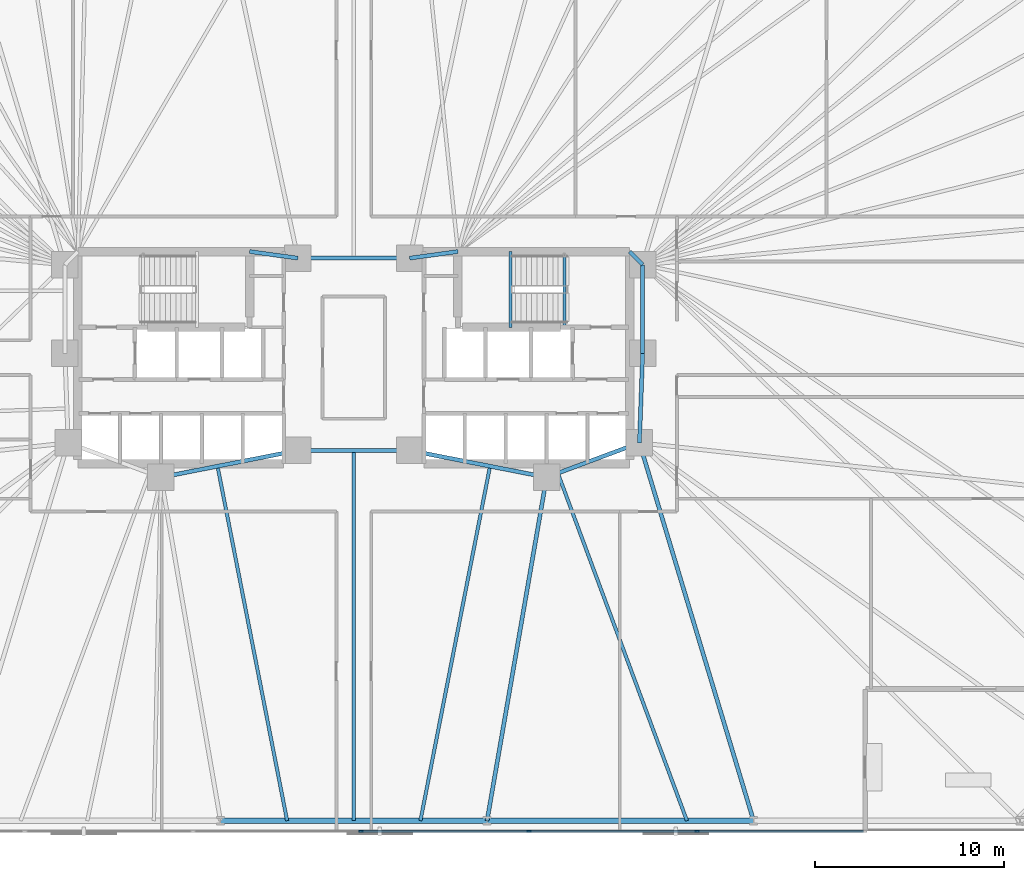
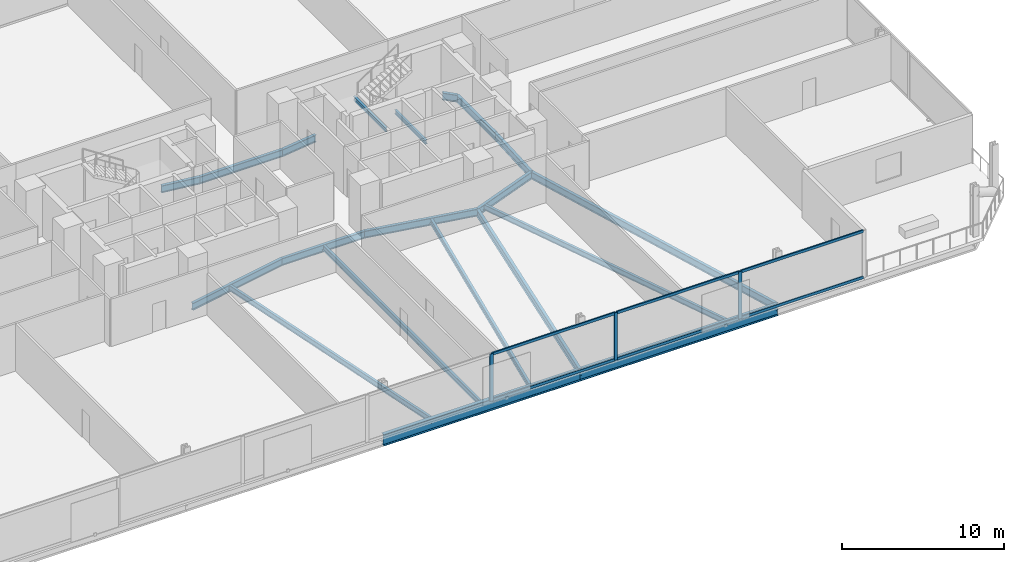
# One storey, part 7 of 17: 20 beams, 9 members, 1 element without a shape of its own.
"""IFC4 building model written with IfcOpenShell, lengths in metres."""

from ifc_helpers import new_model, si_unit, direction, frame, origin, origin_2d, place, context, subcontext, project, spatial, rectangle, i_section, extrude, material, material_profile, profile_set, type_object, element, aggregate, save


model = new_model("IFC4")

# Units and contexts
model_context = context("Model", 3, precision=1e-05, world=origin(), true_north=direction((0.0, 1.0)))
body_context = subcontext(model_context, "Body", "Model", "MODEL_VIEW")
ifc_project = project(units=[si_unit("LENGTHUNIT", "METRE"), si_unit("AREAUNIT", "SQUARE_METRE"), si_unit("VOLUMEUNIT", "CUBIC_METRE"), si_unit("PLANEANGLEUNIT", "RADIAN"), si_unit("MASSUNIT", "GRAM", prefix="KILO")], contexts=[model_context])

# Site, building, storey
site_placement = place(None, origin())
site = spatial("IfcSite", under=ifc_project, at=site_placement, CompositionType="ELEMENT")
building_placement = place(site_placement, origin())
building = spatial("IfcBuilding", under=site, at=building_placement, Name="Menara Jurai Vektor", CompositionType="ELEMENT")
storey_placement = place(building_placement, frame((0.0, 0.0, 44.60009765625)))
storey = spatial("IfcBuildingStorey", under=building, at=storey_placement, Name="L10", CompositionType="ELEMENT", Elevation=44.60009765625)

# Curtain wall, members
ifc_material_1 = material(Name="Anodised Pale Aluminium & Low-E Double Glazing", Category="aluminium")
curtain_wall_type = type_object("IfcCurtainWallType", Name="CW-BLK1", PredefinedType="NOTDEFINED", material=ifc_material_1)
curtain_wall_placement = place(storey_placement, origin())
curtain_wall = element("IfcCurtainWall", 1, at=curtain_wall_placement, inside=storey, type_object=curtain_wall_type, Name="Unitised Curtain Wall L10 F09", PredefinedType="NOTDEFINED")
ifc_material_2 = material(Name="Anodised Pale Aluminium Mullion", Category="aluminium")
ifc_material_profile_1 = material_profile(ifc_material_2, rectangle(XDim=0.094970703125, YDim=0.239990234375, at=origin_2d()), Name="ALU MUL 95x240")
ifc_profile_set_1 = profile_set([ifc_material_profile_1], Name="Anodised Pale Aluminium Mullion")
member_type_1 = type_object("IfcMemberType", Name="CW-BLK1-MUL", PredefinedType="MULLION", material=ifc_profile_set_1)
member_1_placement = place(storey_placement, frame((0.377197265625, -25.0, 0.0), z_axis=(0.0, 0.0, 1.0), x_axis=(0.0, 1.0, 0.0)))
member_1 = element("IfcMember", 2, at=member_1_placement, type_object=member_type_1, Name="CW-01 mullion 5", PredefinedType="MULLION", context=body_context, shape_type="SweptSolid", body=[
    extrude(rectangle(XDim=0.094970703125, YDim=0.239990234375, at=origin_2d()), origin(), (0.0, 0.0, 1.0), 3.574951171875),
])
member_2_placement = place(storey_placement, frame((9.25146484375, -25.0, 0.0), z_axis=(0.0, 0.0, 1.0), x_axis=(0.0, 1.0, 0.0)))
member_2 = element("IfcMember", 3, at=member_2_placement, type_object=member_type_1, Name="CW-01 mullion 6", PredefinedType="MULLION", context=body_context, shape_type="SweptSolid", body=[
    extrude(rectangle(XDim=0.094970703125, YDim=0.239990234375, at=origin_2d()), origin(), (0.0, 0.0, 1.0), 3.574951171875),
])
member_3_placement = place(storey_placement, frame((18.125732421875, -25.0, 0.0), z_axis=(0.0, 0.0, 1.0), x_axis=(0.0, 1.0, 0.0)))
member_3 = element("IfcMember", 4, at=member_3_placement, type_object=member_type_1, Name="CW-01 mullion 7", PredefinedType="MULLION", context=body_context, shape_type="SweptSolid", body=[
    extrude(rectangle(XDim=0.094970703125, YDim=0.239990234375, at=origin_2d()), origin(), (0.0, 0.0, 1.0), 3.574951171875),
])
ifc_material_3 = material(Name="Anodised Pale Aluminium Transom", Category="aluminium")
ifc_material_profile_2 = material_profile(ifc_material_3, rectangle(XDim=0.094970703125, YDim=0.199951171875, at=origin_2d()), Name="ALU TRN 95x200")
ifc_profile_set_2 = profile_set([ifc_material_profile_2], Name="Anodised Pale Aluminium Transom")
member_type_2 = type_object("IfcMemberType", Name="CW-BLK1-TRN", PredefinedType="USERDEFINED", material=ifc_profile_set_2)
member_4_placement = place(storey_placement, frame((0.424560546875, -25.0, 0.04736328125), z_axis=(1.0, 0.0, 0.0), x_axis=(0.0, 1.0, 0.0)))
member_4 = element("IfcMember", 5, at=member_4_placement, type_object=member_type_2, Name="CW-01 transom 5.1", ObjectType="TRANSOM", PredefinedType="USERDEFINED", context=body_context, shape_type="SweptSolid", body=[
    extrude(rectangle(XDim=0.094970703125, YDim=0.199951171875, at=origin_2d()), origin(), (0.0, 0.0, 1.0), 8.779296875),
])
member_5_placement = place(storey_placement, frame((0.424560546875, -25.0, 3.52734375), z_axis=(1.0, 0.0, 0.0), x_axis=(0.0, 1.0, 0.0)))
member_5 = element("IfcMember", 6, at=member_5_placement, type_object=member_type_2, Name="CW-01 transom 5.2", ObjectType="TRANSOM", PredefinedType="USERDEFINED", context=body_context, shape_type="SweptSolid", body=[
    extrude(rectangle(XDim=0.094970703125, YDim=0.199951171875, at=origin_2d()), origin(), (0.0, 0.0, 1.0), 8.779296875),
])
member_6_placement = place(storey_placement, frame((9.298828125, -25.0, 0.04736328125), z_axis=(1.0, 0.0, 0.0), x_axis=(0.0, 1.0, 0.0)))
member_6 = element("IfcMember", 7, at=member_6_placement, type_object=member_type_2, Name="CW-01 transom 6.1", ObjectType="TRANSOM", PredefinedType="USERDEFINED", context=body_context, shape_type="SweptSolid", body=[
    extrude(rectangle(XDim=0.094970703125, YDim=0.199951171875, at=origin_2d()), origin(), (0.0, 0.0, 1.0), 8.779296875),
])
member_7_placement = place(storey_placement, frame((9.298828125, -25.0, 3.52734375), z_axis=(1.0, 0.0, 0.0), x_axis=(0.0, 1.0, 0.0)))
member_7 = element("IfcMember", 8, at=member_7_placement, type_object=member_type_2, Name="CW-01 transom 6.2", ObjectType="TRANSOM", PredefinedType="USERDEFINED", context=body_context, shape_type="SweptSolid", body=[
    extrude(rectangle(XDim=0.094970703125, YDim=0.199951171875, at=origin_2d()), origin(), (0.0, 0.0, 1.0), 8.779296875),
])
member_8_placement = place(storey_placement, frame((18.173095703125, -25.0, 0.04736328125), z_axis=(1.0, 0.0, 0.0), x_axis=(0.0, 1.0, 0.0)))
member_8 = element("IfcMember", 9, at=member_8_placement, type_object=member_type_2, Name="CW-01 transom 7.1", ObjectType="TRANSOM", PredefinedType="USERDEFINED", context=body_context, shape_type="SweptSolid", body=[
    extrude(rectangle(XDim=0.094970703125, YDim=0.199951171875, at=origin_2d()), origin(), (0.0, 0.0, 1.0), 8.73193359375),
])
member_9_placement = place(storey_placement, frame((18.173095703125, -25.0, 3.52734375), z_axis=(1.0, 0.0, 0.0), x_axis=(0.0, 1.0, 0.0)))
member_9 = element("IfcMember", 10, at=member_9_placement, type_object=member_type_2, Name="CW-01 transom 7.2", ObjectType="TRANSOM", PredefinedType="USERDEFINED", context=body_context, shape_type="SweptSolid", body=[
    extrude(rectangle(XDim=0.094970703125, YDim=0.199951171875, at=origin_2d()), origin(), (0.0, 0.0, 1.0), 8.73193359375),
])
aggregate(curtain_wall, [member_1, member_2, member_3, member_4, member_5, member_6, member_7, member_8, member_9])

# Beams
ifc_material_4 = material(Name="Steel S355", Category="steel")
ifc_material_profile_3 = material_profile(ifc_material_4, i_section(OverallWidth=0.2109375, OverallDepth=0.5390625, WebThickness=0.011962890625, FlangeThickness=0.01904296875, FilletRadius=0.012939453125, at=origin_2d()), Name="UKB 533x210x109")
ifc_profile_set_3 = profile_set([ifc_material_profile_3], Name="Steel S355")
beam_type_1 = type_object("IfcBeamType", Name="STR-BM-533", PredefinedType="BEAM", material=ifc_profile_set_3)
beam_1_placement = place(storey_placement, frame((-5.5, 5.60009765625, -0.49462890625), z_axis=(0.990706818608, -0.136014703483, 0.0), x_axis=(0.136014703483, 0.990706818608, 0.0)))
element("IfcBeam", 11, at=beam_1_placement, inside=storey, type_object=beam_type_1, Name="Core Ring Header Girder L10-CHW-N2", PredefinedType="BEAM", context=body_context, shape_type="SweptSolid", body=[
    extrude(i_section(OverallWidth=0.2109375, OverallDepth=0.5390625, WebThickness=0.011962890625, FlangeThickness=0.01904296875, FilletRadius=0.012939453125, at=origin_2d()), origin(), (0.0, 0.0, 1.0), 2.573974609375),
])
beam_2_placement = place(storey_placement, frame((-10.179931640625, -6.320068359375, -0.49462890625), z_axis=(0.981249044334, 0.192744164614, 0.0), x_axis=(-0.192744164614, 0.981249044334, 0.0)))
element("IfcBeam", 12, at=beam_2_placement, inside=storey, type_object=beam_type_1, Name="Core Ring Header Girder L10-CHW-S2", PredefinedType="BEAM", context=body_context, shape_type="SweptSolid", body=[
    extrude(i_section(OverallWidth=0.2109375, OverallDepth=0.5390625, WebThickness=0.011962890625, FlangeThickness=0.01904296875, FilletRadius=0.012939453125, at=origin_2d()), origin(), (0.0, 0.0, 1.0), 7.3681640625),
])
beam_3_placement = place(storey_placement, frame((2.949951171875, 5.25, -0.49462890625), z_axis=(0.990706818608, 0.136014703483, 0.0), x_axis=(-0.136014703483, 0.990706818608, 0.0)))
element("IfcBeam", 13, at=beam_3_placement, inside=storey, type_object=beam_type_1, Name="Core Ring Header Girder L10-CHE-N1", PredefinedType="BEAM", context=body_context, shape_type="SweptSolid", body=[
    extrude(i_section(OverallWidth=0.2109375, OverallDepth=0.5390625, WebThickness=0.011962890625, FlangeThickness=0.01904296875, FilletRadius=0.012939453125, at=origin_2d()), origin(), (0.0, 0.0, 1.0), 2.573974609375),
])
beam_4_placement = place(storey_placement, frame((14.56005859375, 5.60009765625, -0.49462890625), z_axis=(0.701871936926, -0.712303154672, 0.0), x_axis=(0.712303154672, 0.701871936926, 0.0)))
element("IfcBeam", 14, at=beam_4_placement, inside=storey, type_object=beam_type_1, Name="Core Ring Header Girder L10-CHE-N2", PredefinedType="BEAM", context=body_context, shape_type="SweptSolid", body=[
    extrude(i_section(OverallWidth=0.2109375, OverallDepth=0.5390625, WebThickness=0.011962890625, FlangeThickness=0.01904296875, FilletRadius=0.012939453125, at=origin_2d()), origin(), (0.0, 0.0, 1.0), 0.98291015625),
])
beam_5_placement = place(storey_placement, frame((15.25, 0.219970703125, -0.49462890625), z_axis=(0.0, 1.0, 0.0), x_axis=(-1.0, 0.0, 0.0)))
element("IfcBeam", 15, at=beam_5_placement, inside=storey, type_object=beam_type_1, Name="Core Ring Header Girder L10-CHE-E1", PredefinedType="BEAM", context=body_context, shape_type="SweptSolid", body=[
    extrude(i_section(OverallWidth=0.2109375, OverallDepth=0.5390625, WebThickness=0.011962890625, FlangeThickness=0.01904296875, FilletRadius=0.012939453125, at=origin_2d()), origin(), (0.0, 0.0, 1.0), 4.679931640625),
])
beam_6_placement = place(storey_placement, frame((15.080078125, -4.5, -0.49462890625), z_axis=(0.035977314146, 0.999352606874, 0.0), x_axis=(-0.999352606874, 0.035977314146, 0.0)))
element("IfcBeam", 16, at=beam_6_placement, inside=storey, type_object=beam_type_1, Name="Core Ring Header Girder L10-CHE-E2", PredefinedType="BEAM", context=body_context, shape_type="SweptSolid", body=[
    extrude(i_section(OverallWidth=0.2109375, OverallDepth=0.5390625, WebThickness=0.011962890625, FlangeThickness=0.01904296875, FilletRadius=0.012939453125, at=origin_2d()), origin(), (0.0, 0.0, 1.0), 4.72314453125),
])
beam_7_placement = place(storey_placement, frame((10.179931640625, -6.320068359375, -0.49462890625), z_axis=(0.937424400887, 0.348188874925, 0.0), x_axis=(-0.348188874925, 0.937424400887, 0.0)))
element("IfcBeam", 17, at=beam_7_placement, inside=storey, type_object=beam_type_1, Name="Core Ring Header Girder L10-CHE-S1", PredefinedType="BEAM", context=body_context, shape_type="SweptSolid", body=[
    extrude(i_section(OverallWidth=0.2109375, OverallDepth=0.5390625, WebThickness=0.011962890625, FlangeThickness=0.01904296875, FilletRadius=0.012939453125, at=origin_2d()), origin(), (0.0, 0.0, 1.0), 5.227294921875),
])
beam_8_placement = place(storey_placement, frame((2.949951171875, -4.89990234375, -0.49462890625), z_axis=(0.981249044334, -0.192744164614, 0.0), x_axis=(0.192744164614, 0.981249044334, 0.0)))
element("IfcBeam", 18, at=beam_8_placement, inside=storey, type_object=beam_type_1, Name="Core Ring Header Girder L10-CHE-S2", PredefinedType="BEAM", context=body_context, shape_type="SweptSolid", body=[
    extrude(i_section(OverallWidth=0.2109375, OverallDepth=0.5390625, WebThickness=0.011962890625, FlangeThickness=0.01904296875, FilletRadius=0.012939453125, at=origin_2d()), origin(), (0.0, 0.0, 1.0), 7.3681640625),
])
for number, where, z_axis, x_axis, name in (
    (19, (-2.949951171875, -4.89990234375, -0.49462890625), (1.0, 0.0, 0.0), (0.0, 1.0, 0.0), "Core Ring Header Girder L10-CC-1"),
    (20, (-2.949951171875, 5.25, -0.49462890625), (1.0, 0.0, 0.0), (0.0, 1.0, 0.0), "Core Ring Header Girder L10-CC-2"),
):
    element("IfcBeam", number, at=place(storey_placement, frame(where, z_axis=z_axis, x_axis=x_axis)), inside=storey, type_object=beam_type_1, Name=name, PredefinedType="BEAM", context=body_context, shape_type="SweptSolid", body=[
        extrude(i_section(OverallWidth=0.2109375, OverallDepth=0.5390625, WebThickness=0.011962890625, FlangeThickness=0.01904296875, FilletRadius=0.012939453125, at=origin_2d()), origin(), (0.0, 0.0, 1.0), 5.89990234375),
    ])
beam_9_placement = place(storey_placement, frame((7.03564453125, -24.449951171875, -0.49462890625), z_axis=(0.170880325642, 0.985291791455, 0.0), x_axis=(-0.985291791455, 0.170880325642, 0.0)))
element("IfcBeam", 21, at=beam_9_placement, inside=storey, type_object=beam_type_1, Name="Radial Floor Girder L10-S4", PredefinedType="BEAM", context=body_context, shape_type="SweptSolid", body=[
    extrude(i_section(OverallWidth=0.2109375, OverallDepth=0.5390625, WebThickness=0.011962890625, FlangeThickness=0.01904296875, FilletRadius=0.012939453125, at=origin_2d()), origin(), (0.0, 0.0, 1.0), 18.400634765625),
])
beam_10_placement = place(storey_placement, frame((21.106689453125, -24.449951171875, -0.49462890625), z_axis=(-0.289179812203, 0.957274796604, 0.0), x_axis=(-0.957274796604, -0.289179812203, 0.0)))
element("IfcBeam", 22, at=beam_10_placement, inside=storey, type_object=beam_type_1, Name="Radial Floor Girder L10-S5", PredefinedType="BEAM", context=body_context, shape_type="SweptSolid", body=[
    extrude(i_section(OverallWidth=0.2109375, OverallDepth=0.5390625, WebThickness=0.011962890625, FlangeThickness=0.01904296875, FilletRadius=0.012939453125, at=origin_2d()), origin(), (0.0, 0.0, 1.0), 20.84033203125),
])
ifc_material_profile_4 = material_profile(ifc_material_4, i_section(OverallWidth=0.178955078125, OverallDepth=0.408935546875, WebThickness=0.009033203125, FlangeThickness=0.013916015625, FilletRadius=0.010009765625, at=origin_2d()), Name="UKB 406x178x67")
ifc_profile_set_4 = profile_set([ifc_material_profile_4], Name="Steel S355")
beam_type_2 = type_object("IfcBeamType", Name="STR-JS-406", PredefinedType="JOIST", material=ifc_profile_set_4)
beam_11_placement = place(storey_placement, frame((-3.517822265625, -24.449951171875, -0.4296875), z_axis=(-0.192723076671, 0.981253186348, 0.0), x_axis=(-0.981253186348, -0.192723076671, 0.0)))
element("IfcBeam", 23, at=beam_11_placement, inside=storey, type_object=beam_type_2, Name="Radial Secondary Floor Joist L10-JS04", PredefinedType="JOIST", context=body_context, shape_type="SweptSolid", body=[
    extrude(i_section(OverallWidth=0.178955078125, OverallDepth=0.408935546875, WebThickness=0.009033203125, FlangeThickness=0.013916015625, FilletRadius=0.010009765625, at=origin_2d()), origin(), (0.0, 0.0, 1.0), 19.07421875),
])
beam_12_placement = place(storey_placement, frame((0.0, -24.449951171875, -0.4296875), z_axis=(0.0, 1.0, 0.0), x_axis=(-1.0, 0.0, 0.0)))
element("IfcBeam", 24, at=beam_12_placement, inside=storey, type_object=beam_type_2, Name="Radial Secondary Floor Joist L10-JS05", PredefinedType="JOIST", context=body_context, shape_type="SweptSolid", body=[
    extrude(i_section(OverallWidth=0.178955078125, OverallDepth=0.408935546875, WebThickness=0.009033203125, FlangeThickness=0.013916015625, FilletRadius=0.010009765625, at=origin_2d()), origin(), (0.0, 0.0, 1.0), 19.550048828125),
])
beam_13_placement = place(storey_placement, frame((3.517822265625, -24.449951171875, -0.4296875), z_axis=(0.192723076671, 0.981253186348, 0.0), x_axis=(-0.981253186348, 0.192723076671, 0.0)))
element("IfcBeam", 25, at=beam_13_placement, inside=storey, type_object=beam_type_2, Name="Radial Secondary Floor Joist L10-JS06", PredefinedType="JOIST", context=body_context, shape_type="SweptSolid", body=[
    extrude(i_section(OverallWidth=0.178955078125, OverallDepth=0.408935546875, WebThickness=0.009033203125, FlangeThickness=0.013916015625, FilletRadius=0.010009765625, at=origin_2d()), origin(), (0.0, 0.0, 1.0), 19.07421875),
])
beam_14_placement = place(storey_placement, frame((17.5888671875, -24.449951171875, -0.4296875), z_axis=(-0.348179014223, 0.937428063403, 0.0), x_axis=(-0.937428063403, -0.348179014223, 0.0)))
element("IfcBeam", 26, at=beam_14_placement, inside=storey, type_object=beam_type_2, Name="Radial Secondary Floor Joist L10-JS07", PredefinedType="JOIST", context=body_context, shape_type="SweptSolid", body=[
    extrude(i_section(OverallWidth=0.178955078125, OverallDepth=0.408935546875, WebThickness=0.009033203125, FlangeThickness=0.013916015625, FilletRadius=0.010009765625, at=origin_2d()), origin(), (0.0, 0.0, 1.0), 19.5751953125),
])
ifc_material_profile_5 = material_profile(ifc_material_4, i_section(OverallWidth=0.1650390625, OverallDepth=0.302978515625, WebThickness=0.006103515625, FlangeThickness=0.010009765625, FilletRadius=0.009033203125, at=origin_2d()), Name="UKB 305x165x40")
ifc_profile_set_5 = profile_set([ifc_material_profile_5], Name="Steel S355")
beam_type_3 = type_object("IfcBeamType", Name="STR-LN-305", PredefinedType="LINTEL", material=ifc_profile_set_5)
beam_15_placement = place(storey_placement, frame((11.1201171875, 1.60009765625, -0.376708984375), z_axis=(0.0, 1.0, 0.0), x_axis=(-1.0, 0.0, 0.0)))
element("IfcBeam", 27, at=beam_15_placement, inside=storey, type_object=beam_type_3, Name="Stair Well Floor Trimmer ST2 L10", PredefinedType="LINTEL", context=body_context, shape_type="SweptSolid", body=[
    extrude(i_section(OverallWidth=0.1650390625, OverallDepth=0.302978515625, WebThickness=0.006103515625, FlangeThickness=0.010009765625, FilletRadius=0.009033203125, at=origin_2d()), origin(), (0.0, 0.0, 1.0), 3.81982421875),
])
beam_16_placement = place(storey_placement, frame((8.27001953125, 1.60009765625, 1.54833984375), z_axis=(0.0, 1.0, 0.0), x_axis=(-1.0, 0.0, 0.0)))
element("IfcBeam", 28, at=beam_16_placement, inside=storey, type_object=beam_type_3, Name="Stair Half-Landing Nosing Trimmer ST2-1 L10", PredefinedType="LINTEL", context=body_context, shape_type="SweptSolid", body=[
    extrude(i_section(OverallWidth=0.1650390625, OverallDepth=0.302978515625, WebThickness=0.006103515625, FlangeThickness=0.010009765625, FilletRadius=0.009033203125, at=origin_2d()), origin(), (0.0, 0.0, 1.0), 4.0),
])
ifc_material_5 = material(Name="Steel S460", Category="steel")
ifc_material_profile_6 = material_profile(ifc_material_5, i_section(OverallWidth=0.2939453125, OverallDepth=0.85107421875, WebThickness=0.01611328125, FlangeThickness=0.027099609375, FilletRadius=0.01806640625, at=origin_2d()), Name="UKB 838x292x226")
ifc_profile_set_6 = profile_set([ifc_material_profile_6], Name="Steel S460")
beam_type_4 = type_object("IfcBeamType", Name="STR-SP-838", PredefinedType="SPANDREL", material=ifc_profile_set_6)
beam_17_placement = place(storey_placement, frame((-7.03564453125, -24.449951171875, -0.650634765625), z_axis=(1.0, 0.0, 0.0), x_axis=(0.0, 1.0, 0.0)))
element("IfcBeam", 29, at=beam_17_placement, inside=storey, type_object=beam_type_4, Name="Exoskeleton Spandrel Beam L10-03", PredefinedType="SPANDREL", context=body_context, shape_type="SweptSolid", body=[
    extrude(i_section(OverallWidth=0.2939453125, OverallDepth=0.85107421875, WebThickness=0.01611328125, FlangeThickness=0.027099609375, FilletRadius=0.01806640625, at=origin_2d()), origin(), (0.0, 0.0, 1.0), 14.0712890625),
])
beam_18_placement = place(storey_placement, frame((7.03564453125, -24.449951171875, -0.650634765625), z_axis=(1.0, 0.0, 0.0), x_axis=(0.0, 1.0, 0.0)))
element("IfcBeam", 30, at=beam_18_placement, inside=storey, type_object=beam_type_4, Name="Exoskeleton Spandrel Beam L10-04", PredefinedType="SPANDREL", context=body_context, shape_type="SweptSolid", body=[
    extrude(i_section(OverallWidth=0.2939453125, OverallDepth=0.85107421875, WebThickness=0.01611328125, FlangeThickness=0.027099609375, FilletRadius=0.01806640625, at=origin_2d()), origin(), (0.0, 0.0, 1.0), 14.071044921875),
])

save(model, "model.ifc")
